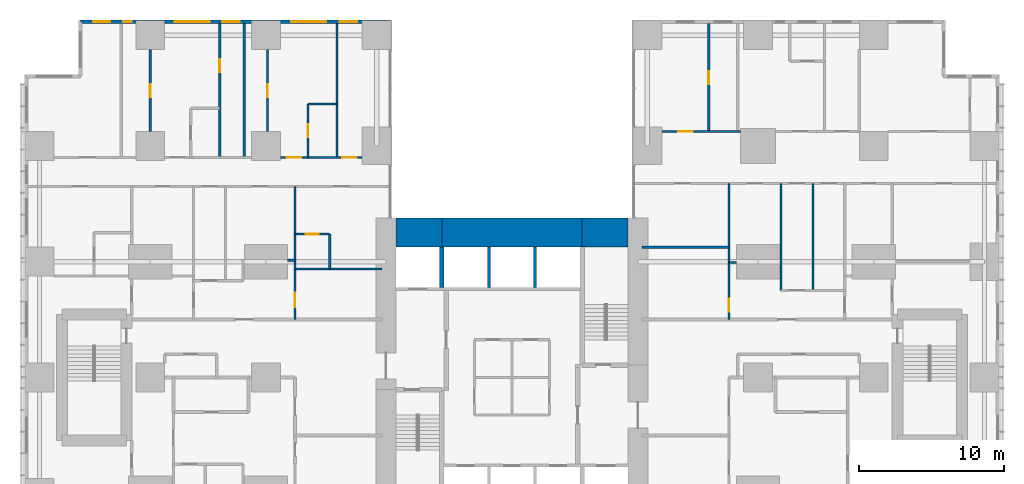
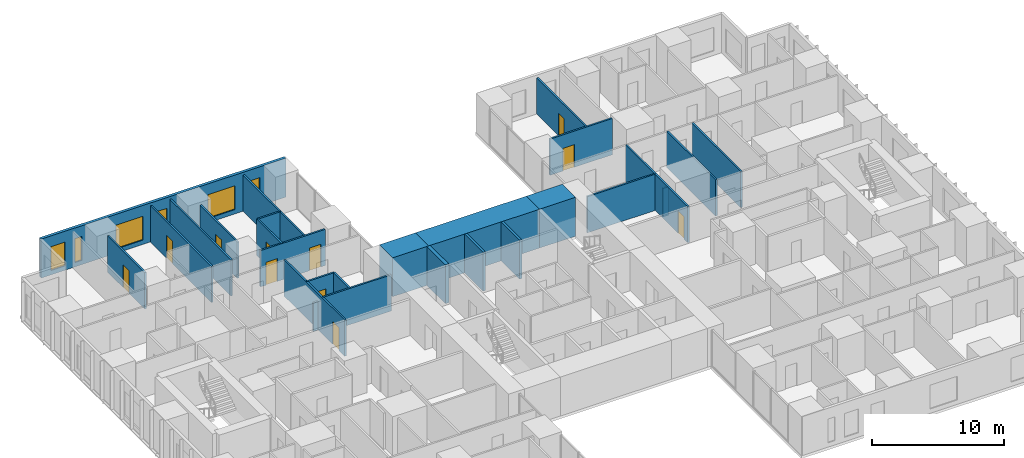
# One storey, part 17 of 20: 27 walls, 11 doors, 6 windows, 17 openings.
"""IFC4 building model written with IfcOpenShell, lengths in metres."""

from ifc_helpers import new_model, si_unit, direction, frame, frame_2d, origin, place, context, subcontext, project, spatial, rectangle, extrude, material, layer, layer_set, type_object, element, fill, save


model = new_model("IFC4")

# Units and contexts
model_context = context("Model", 3, precision=1e-05, world=origin(), true_north=direction((0.0, 1.0)))
body_context = subcontext(model_context, "Body", "Model", "MODEL_VIEW")
ifc_project = project(units=[si_unit("LENGTHUNIT", "METRE"), si_unit("AREAUNIT", "SQUARE_METRE"), si_unit("VOLUMEUNIT", "CUBIC_METRE"), si_unit("PLANEANGLEUNIT", "RADIAN"), si_unit("MASSUNIT", "GRAM", prefix="KILO")], contexts=[model_context])

# Site, building, storey
site_placement = place(None, origin())
site = spatial("IfcSite", under=ifc_project, at=site_placement, CompositionType="ELEMENT")
building_placement = place(site_placement, origin())
building = spatial("IfcBuilding", under=site, at=building_placement, Name="Cleftline Residences", CompositionType="ELEMENT")
storey_placement = place(building_placement, frame((0.0, 0.0, 110.60009765625)))
storey = spatial("IfcBuildingStorey", under=building, at=storey_placement, Name="L28", CompositionType="ELEMENT", Elevation=110.60009765625)

# Walls
ifc_material_1 = material(Name="Concrete B70", Category="concrete")
ifc_layer_1 = layer(ifc_material_1, 2.0)
ifc_layer_set_1 = layer_set([ifc_layer_1], Name="CORE WALL 2000")
wall_type_1 = type_object("IfcWallType", Name="CORE WALL 2000", PredefinedType="SHEAR", material=ifc_layer_set_1)
wall_1_placement = place(storey_placement, frame((25.0, 34.0, 0.0), z_axis=(0.0, 0.0, 1.0), x_axis=(1.0, 0.0, 0.0)))
element("IfcWall", 1, at=wall_1_placement, inside=storey, type_object=wall_type_1, Name="Core wall N1", PredefinedType="SHEAR", context=body_context, shape_type="SweptSolid", body=[
    extrude(rectangle(XDim=3.14990234375, YDim=2.0, at=frame_2d((1.574951171875, 0.0))), origin(), (0.0, 0.0, 1.0), 3.599853515625),
])
wall_2_placement = place(storey_placement, frame((28.14990234375, 34.0, 0.0), z_axis=(0.0, 0.0, 1.0), x_axis=(1.0, 0.0, 0.0)))
element("IfcWall", 2, at=wall_2_placement, inside=storey, type_object=wall_type_1, Name="Core wall N2", PredefinedType="SHEAR", context=body_context, shape_type="SweptSolid", body=[
    extrude(rectangle(XDim=9.7001953125, YDim=2.0, at=frame_2d((4.85009765625, 0.0))), origin(), (0.0, 0.0, 1.0), 3.599853515625),
])
wall_3_placement = place(storey_placement, frame((37.85009765625, 34.0, 0.0), z_axis=(0.0, 0.0, 1.0), x_axis=(1.0, 0.0, 0.0)))
element("IfcWall", 3, at=wall_3_placement, inside=storey, type_object=wall_type_1, Name="Core wall N3", PredefinedType="SHEAR", context=body_context, shape_type="SweptSolid", body=[
    extrude(rectangle(XDim=3.14990234375, YDim=2.0, at=frame_2d((1.574951171875, 0.0))), origin(), (0.0, 0.0, 1.0), 3.599853515625),
])
ifc_material_2 = material(Name="Concrete B70", Category="concrete")
ifc_layer_2 = layer(ifc_material_2, 0.300048828125)
ifc_layer_set_2 = layer_set([ifc_layer_2], Name="CORE WALL 300")
wall_type_2 = type_object("IfcWallType", Name="CORE WALL 300", PredefinedType="SHEAR", material=ifc_layer_set_2)
wall_4_placement = place(storey_placement, frame((28.14990234375, 30.199951171875, 0.0), z_axis=(0.0, 0.0, 1.0), x_axis=(0.0, 1.0, 0.0)))
element("IfcWall", 4, at=wall_4_placement, inside=storey, type_object=wall_type_2, Name="Lift shaft wall", PredefinedType="SHEAR", context=body_context, shape_type="SweptSolid", body=[
    extrude(rectangle(XDim=2.800048828125, YDim=0.300048828125, at=frame_2d((1.39990234375, 0.0))), origin(), (0.0, 0.0, 1.0), 3.599853515625),
])

# Wall, openings, windows
ifc_material_3 = material(Name="Rendered reinforced concrete blockwork", Category="masonry")
ifc_layer_3 = layer(ifc_material_3, 0.25)
ifc_layer_set_3 = layer_set([ifc_layer_3], Name="EXTERNAL WALL 250")
wall_type_3 = type_object("IfcWallType", Name="EXTERNAL WALL 250", PredefinedType="SOLIDWALL", material=ifc_layer_set_3)
wall_5_placement = place(storey_placement, frame((24.574951171875, 48.574951171875, 0.0), z_axis=(0.0, 0.0, 1.0), x_axis=(-1.0, 0.0, 0.0)))
wall_5 = element("IfcWall", 5, at=wall_5_placement, inside=storey, type_object=wall_type_3, Name="External wall", PredefinedType="SOLIDWALL", context=body_context, shape_type="SweptSolid", body=[
    extrude(rectangle(XDim=21.39990234375, YDim=0.25, at=frame_2d((10.699951171875, 0.0))), origin(), (0.0, 0.0, 1.0), 3.599853515625),
])
opening_1_placement = place(wall_5_placement, frame((2.27490234375, 0.0, 0.39990234375)))
opening_1 = element("IfcOpeningElement", 6, at=opening_1_placement, cuts=wall_5, Name="Opening W11", PredefinedType="OPENING", context=body_context, shape_type="SweptSolid", body=[
    extrude(rectangle(XDim=1.199951171875, YDim=2.199951171875, at=frame_2d((0.60009765625, 1.10009765625))), frame((0.0, 0.135009765625, 0.0), z_axis=(0.0, -1.0, 0.0), x_axis=(1.0, 0.0, 0.0)), (0.0, 0.0, 1.0), 0.27001953125),
])
opening_2_placement = place(wall_5_placement, frame((4.425048828125, 0.0, 0.39990234375)))
opening_2 = element("IfcOpeningElement", 7, at=opening_2_placement, cuts=wall_5, Name="Opening W12", PredefinedType="OPENING", context=body_context, shape_type="SweptSolid", body=[
    extrude(rectangle(XDim=2.39990234375, YDim=2.199951171875, at=frame_2d((1.199951171875, 1.10009765625))), frame((0.0, 0.135009765625, 0.0), z_axis=(0.0, -1.0, 0.0), x_axis=(1.0, 0.0, 0.0)), (0.0, 0.0, 1.0), 0.27001953125),
])
opening_3_placement = place(wall_5_placement, frame((10.39990234375, 0.0, 0.39990234375)))
opening_3 = element("IfcOpeningElement", 8, at=opening_3_placement, cuts=wall_5, Name="Opening W11", PredefinedType="OPENING", context=body_context, shape_type="SweptSolid", body=[
    extrude(rectangle(XDim=1.199951171875, YDim=2.199951171875, at=frame_2d((0.60009765625, 1.10009765625))), frame((0.0, 0.135009765625, 0.0), z_axis=(0.0, -1.0, 0.0), x_axis=(1.0, 0.0, 0.0)), (0.0, 0.0, 1.0), 0.27001953125),
])
opening_4_placement = place(wall_5_placement, frame((12.47509765625, 0.0, 0.39990234375)))
opening_4 = element("IfcOpeningElement", 9, at=opening_4_placement, cuts=wall_5, Name="Opening W12", PredefinedType="OPENING", context=body_context, shape_type="SweptSolid", body=[
    extrude(rectangle(XDim=2.39990234375, YDim=2.199951171875, at=frame_2d((1.199951171875, 1.10009765625))), frame((0.0, 0.135009765625, 0.0), z_axis=(0.0, -1.0, 0.0), x_axis=(1.0, 0.0, 0.0)), (0.0, 0.0, 1.0), 0.27001953125),
])
opening_5_placement = place(wall_5_placement, frame((17.85009765625, 0.0, 0.39990234375)))
opening_5 = element("IfcOpeningElement", 10, at=opening_5_placement, cuts=wall_5, Name="Opening W10", PredefinedType="OPENING", context=body_context, shape_type="SweptSolid", body=[
    extrude(rectangle(XDim=0.60009765625, YDim=2.199951171875, at=frame_2d((0.300048828125, 1.10009765625))), frame((0.0, 0.135009765625, 0.0), z_axis=(0.0, -1.0, 0.0), x_axis=(1.0, 0.0, 0.0)), (0.0, 0.0, 1.0), 0.27001953125),
])
opening_6_placement = place(wall_5_placement, frame((19.324951171875, 0.0, 0.39990234375)))
opening_6 = element("IfcOpeningElement", 11, at=opening_6_placement, cuts=wall_5, Name="Opening W11", PredefinedType="OPENING", context=body_context, shape_type="SweptSolid", body=[
    extrude(rectangle(XDim=1.199951171875, YDim=2.199951171875, at=frame_2d((0.60009765625, 1.10009765625))), frame((0.0, 0.135009765625, 0.0), z_axis=(0.0, -1.0, 0.0), x_axis=(1.0, 0.0, 0.0)), (0.0, 0.0, 1.0), 0.27001953125),
])
ifc_material_4 = material(Name="Aluminium frame, clear double glazing", Category="aluminium")
window_type_1 = type_object("IfcWindowType", Name="WINDOW 1200X2200", PartitioningType="DOUBLE_PANEL_VERTICAL", PredefinedType="WINDOW", material=ifc_material_4)
window_1_placement = place(opening_1_placement, origin())
window_1 = element("IfcWindow", 12, at=window_1_placement, inside=storey, type_object=window_type_1, Name="Window", OverallHeight=2.199951171875, OverallWidth=1.199951171875, PartitioningType="SINGLE_PANEL", PredefinedType="WINDOW", context=body_context, shape_type="SweptSolid", body=[
    extrude(rectangle(XDim=1.199951171875, YDim=2.199951171875, at=frame_2d((0.60009765625, 1.10009765625))), frame((0.0, 0.030029296875, 0.0), z_axis=(0.0, -1.0, 0.0), x_axis=(1.0, 0.0, 0.0)), (0.0, 0.0, 1.0), 0.06005859375),
])
fill(opening_1, window_1)
window_2_placement = place(opening_3_placement, origin())
window_2 = element("IfcWindow", 13, at=window_2_placement, inside=storey, type_object=window_type_1, Name="Window", OverallHeight=2.199951171875, OverallWidth=1.199951171875, PartitioningType="SINGLE_PANEL", PredefinedType="WINDOW", context=body_context, shape_type="SweptSolid", body=[
    extrude(rectangle(XDim=1.199951171875, YDim=2.199951171875, at=frame_2d((0.60009765625, 1.10009765625))), frame((0.0, 0.030029296875, 0.0), z_axis=(0.0, -1.0, 0.0), x_axis=(1.0, 0.0, 0.0)), (0.0, 0.0, 1.0), 0.06005859375),
])
fill(opening_3, window_2)
window_3_placement = place(opening_6_placement, origin())
window_3 = element("IfcWindow", 14, at=window_3_placement, inside=storey, type_object=window_type_1, Name="Window", OverallHeight=2.199951171875, OverallWidth=1.199951171875, PartitioningType="SINGLE_PANEL", PredefinedType="WINDOW", context=body_context, shape_type="SweptSolid", body=[
    extrude(rectangle(XDim=1.199951171875, YDim=2.199951171875, at=frame_2d((0.60009765625, 1.10009765625))), frame((0.0, 0.030029296875, 0.0), z_axis=(0.0, -1.0, 0.0), x_axis=(1.0, 0.0, 0.0)), (0.0, 0.0, 1.0), 0.06005859375),
])
fill(opening_6, window_3)
ifc_material_5 = material(Name="Aluminium frame, clear double glazing", Category="aluminium")
window_type_2 = type_object("IfcWindowType", Name="WINDOW 2400X2200", PartitioningType="DOUBLE_PANEL_VERTICAL", PredefinedType="WINDOW", material=ifc_material_5)
window_4_placement = place(opening_2_placement, origin())
window_4 = element("IfcWindow", 15, at=window_4_placement, inside=storey, type_object=window_type_2, Name="Window", OverallHeight=2.199951171875, OverallWidth=2.39990234375, PartitioningType="SINGLE_PANEL", PredefinedType="WINDOW", context=body_context, shape_type="SweptSolid", body=[
    extrude(rectangle(XDim=2.39990234375, YDim=2.199951171875, at=frame_2d((1.199951171875, 1.10009765625))), frame((0.0, 0.030029296875, 0.0), z_axis=(0.0, -1.0, 0.0), x_axis=(1.0, 0.0, 0.0)), (0.0, 0.0, 1.0), 0.06005859375),
])
fill(opening_2, window_4)
window_5_placement = place(opening_4_placement, origin())
window_5 = element("IfcWindow", 16, at=window_5_placement, inside=storey, type_object=window_type_2, Name="Window", OverallHeight=2.199951171875, OverallWidth=2.39990234375, PartitioningType="SINGLE_PANEL", PredefinedType="WINDOW", context=body_context, shape_type="SweptSolid", body=[
    extrude(rectangle(XDim=2.39990234375, YDim=2.199951171875, at=frame_2d((1.199951171875, 1.10009765625))), frame((0.0, 0.030029296875, 0.0), z_axis=(0.0, -1.0, 0.0), x_axis=(1.0, 0.0, 0.0)), (0.0, 0.0, 1.0), 0.06005859375),
])
fill(opening_4, window_5)
ifc_material_6 = material(Name="Aluminium frame, clear double glazing", Category="aluminium")
window_type_3 = type_object("IfcWindowType", Name="WINDOW 600X2200", PartitioningType="DOUBLE_PANEL_VERTICAL", PredefinedType="WINDOW", material=ifc_material_6)
window_6_placement = place(opening_5_placement, origin())
window_6 = element("IfcWindow", 17, at=window_6_placement, inside=storey, type_object=window_type_3, Name="Window", OverallHeight=2.199951171875, OverallWidth=0.60009765625, PartitioningType="SINGLE_PANEL", PredefinedType="WINDOW", context=body_context, shape_type="SweptSolid", body=[
    extrude(rectangle(XDim=0.60009765625, YDim=2.199951171875, at=frame_2d((0.300048828125, 1.10009765625))), frame((0.0, 0.030029296875, 0.0), z_axis=(0.0, -1.0, 0.0), x_axis=(1.0, 0.0, 0.0)), (0.0, 0.0, 1.0), 0.06005859375),
])
fill(opening_5, window_6)

# Walls
ifc_material_7 = material(Name="Gypsum board on steel studs", Category="steel")
ifc_layer_4 = layer(ifc_material_7, 0.14990234375)
ifc_layer_set_4 = layer_set([ifc_layer_4], Name="PARTITION 150")
wall_type_4 = type_object("IfcWallType", Name="PARTITION 150", PredefinedType="PARTITIONING", material=ifc_layer_set_4)
wall_6_placement = place(storey_placement, frame((18.0, 31.5, 0.0), z_axis=(0.0, 0.0, 1.0), x_axis=(1.0, 0.0, 0.0)))
element("IfcWall", 18, at=wall_6_placement, inside=storey, type_object=wall_type_4, Name="Partition", PredefinedType="PARTITIONING", context=body_context, shape_type="SweptSolid", body=[
    extrude(rectangle(XDim=6.0, YDim=0.14990234375, at=frame_2d((3.0, 0.0))), origin(), (0.0, 0.0, 1.0), 3.349853515625),
])
for number, where, z_axis, x_axis, name in (
    (19, (48.0, 31.949951171875, 0.0), (0.0, 0.0, 1.0), (1.0, 0.0, 0.0), "Partition"),
    (20, (17.5, 32.10009765625, 0.0), (0.0, 0.0, 1.0), (1.0, 0.0, 0.0), "Partition"),
):
    element("IfcWall", number, at=place(storey_placement, frame(where, z_axis=z_axis, x_axis=x_axis)), inside=storey, type_object=wall_type_4, Name=name, PredefinedType="PARTITIONING", context=body_context, shape_type="SweptSolid", body=[
        extrude(rectangle(XDim=0.5, YDim=0.14990234375, at=frame_2d((0.25, 0.0))), origin(), (0.0, 0.0, 1.0), 2.6337890625),
    ])
wall_7_placement = place(storey_placement, frame((42.0, 33.0, 0.0), z_axis=(0.0, 0.0, 1.0), x_axis=(1.0, 0.0, 0.0)))
element("IfcWall", 21, at=wall_7_placement, inside=storey, type_object=wall_type_4, Name="Partition", PredefinedType="PARTITIONING", context=body_context, shape_type="SweptSolid", body=[
    extrude(rectangle(XDim=6.0, YDim=0.14990234375, at=frame_2d((3.0, 0.0))), origin(), (0.0, 0.0, 1.0), 3.349853515625),
])

# Wall, opening, door
wall_8_placement = place(storey_placement, frame((18.0, 33.89990234375, 0.0), z_axis=(0.0, 0.0, 1.0), x_axis=(1.0, 0.0, 0.0)))
wall_8 = element("IfcWall", 22, at=wall_8_placement, inside=storey, type_object=wall_type_4, Name="Partition", PredefinedType="PARTITIONING", context=body_context, shape_type="SweptSolid", body=[
    extrude(rectangle(XDim=2.39990234375, YDim=0.14990234375, at=frame_2d((1.199951171875, 0.0))), origin(), (0.0, 0.0, 1.0), 3.349853515625),
])
opening_7_placement = place(wall_8_placement, frame((0.75, 0.0, 0.0)))
opening_7 = element("IfcOpeningElement", 23, at=opening_7_placement, cuts=wall_8, Name="Opening D1", PredefinedType="OPENING", context=body_context, shape_type="SweptSolid", body=[
    extrude(rectangle(XDim=0.89990234375, YDim=2.10009765625, at=frame_2d((0.449951171875, 1.050048828125))), frame((0.0, 0.0849609375, 0.0), z_axis=(0.0, -1.0, 0.0), x_axis=(1.0, 0.0, 0.0)), (0.0, 0.0, 1.0), 0.169921875),
])
ifc_material_8 = material(Name="Timber veneer on solid core", Category="wood")
door_type_1 = type_object("IfcDoorType", Name="DOOR 900X2100", OperationType="SINGLE_SWING_LEFT", PredefinedType="DOOR", material=ifc_material_8)
door_1_placement = place(opening_7_placement, origin())
door_1 = element("IfcDoor", 24, at=door_1_placement, inside=storey, type_object=door_type_1, Name="Door to staff shower room", OperationType="SINGLE_SWING_LEFT", OverallHeight=2.10009765625, OverallWidth=0.89990234375, PredefinedType="DOOR", context=body_context, shape_type="SweptSolid", body=[
    extrude(rectangle(XDim=0.89990234375, YDim=2.10009765625, at=frame_2d((0.449951171875, 1.050048828125))), frame((0.0, 0.02490234375, 0.0), z_axis=(0.0, -1.0, 0.0), x_axis=(1.0, 0.0, 0.0)), (0.0, 0.0, 1.0), 0.050048828125),
])
fill(opening_7, door_1)

# Wall, openings, doors
wall_9_placement = place(storey_placement, frame((17.0, 39.199951171875, 0.0), z_axis=(0.0, 0.0, 1.0), x_axis=(1.0, 0.0, 0.0)))
wall_9 = element("IfcWall", 25, at=wall_9_placement, inside=storey, type_object=wall_type_4, Name="Partition", PredefinedType="PARTITIONING", context=body_context, shape_type="SweptSolid", body=[
    extrude(rectangle(XDim=5.64990234375, YDim=0.14990234375, at=frame_2d((2.824951171875, 0.0))), origin(), (0.0, 0.0, 1.0), 3.349853515625),
])
opening_8_placement = place(wall_9_placement, frame((0.449951171875, 0.0, 0.0)))
opening_8 = element("IfcOpeningElement", 26, at=opening_8_placement, cuts=wall_9, Name="Opening D2", PredefinedType="OPENING", context=body_context, shape_type="SweptSolid", body=[
    extrude(rectangle(XDim=1.0, YDim=2.10009765625, at=frame_2d((0.5, 1.050048828125))), frame((0.0, 0.0849609375, 0.0), z_axis=(0.0, -1.0, 0.0), x_axis=(1.0, 0.0, 0.0)), (0.0, 0.0, 1.0), 0.169921875),
])
opening_9_placement = place(wall_9_placement, frame((4.27490234375, 0.0, 0.0)))
opening_9 = element("IfcOpeningElement", 27, at=opening_9_placement, cuts=wall_9, Name="Opening D2", PredefinedType="OPENING", context=body_context, shape_type="SweptSolid", body=[
    extrude(rectangle(XDim=1.0, YDim=2.10009765625, at=frame_2d((0.5, 1.050048828125))), frame((0.0, 0.0849609375, 0.0), z_axis=(0.0, -1.0, 0.0), x_axis=(1.0, 0.0, 0.0)), (0.0, 0.0, 1.0), 0.169921875),
])
ifc_material_9 = material(Name="Timber veneer on solid core", Category="wood")
door_type_2 = type_object("IfcDoorType", Name="DOOR 1000X2100", OperationType="SINGLE_SWING_LEFT", PredefinedType="DOOR", material=ifc_material_9)
door_2_placement = place(opening_8_placement, origin())
door_2 = element("IfcDoor", 28, at=door_2_placement, inside=storey, type_object=door_type_2, Name="Door to bedroom 3", OperationType="SINGLE_SWING_RIGHT", OverallHeight=2.10009765625, OverallWidth=1.0, PredefinedType="DOOR", context=body_context, shape_type="SweptSolid", body=[
    extrude(rectangle(XDim=1.0, YDim=2.10009765625, at=frame_2d((0.5, 1.050048828125))), frame((0.0, 0.02490234375, 0.0), z_axis=(0.0, -1.0, 0.0), x_axis=(1.0, 0.0, 0.0)), (0.0, 0.0, 1.0), 0.050048828125),
])
fill(opening_8, door_2)
door_3_placement = place(opening_9_placement, origin())
door_3 = element("IfcDoor", 29, at=door_3_placement, inside=storey, type_object=door_type_2, Name="Door to bedroom 3 sitting room", OperationType="SINGLE_SWING_LEFT", OverallHeight=2.10009765625, OverallWidth=1.0, PredefinedType="DOOR", context=body_context, shape_type="SweptSolid", body=[
    extrude(rectangle(XDim=1.0, YDim=2.10009765625, at=frame_2d((0.5, 1.050048828125))), frame((0.0, 0.02490234375, 0.0), z_axis=(0.0, -1.0, 0.0), x_axis=(1.0, 0.0, 0.0)), (0.0, 0.0, 1.0), 0.050048828125),
])
fill(opening_9, door_3)

# Wall, opening, door
wall_10_placement = place(storey_placement, frame((43.35009765625, 41.0, 0.0), z_axis=(0.0, 0.0, 1.0), x_axis=(1.0, 0.0, 0.0)))
wall_10 = element("IfcWall", 30, at=wall_10_placement, inside=storey, type_object=wall_type_4, Name="Partition", PredefinedType="PARTITIONING", context=body_context, shape_type="SweptSolid", body=[
    extrude(rectangle(XDim=5.449951171875, YDim=0.14990234375, at=frame_2d((2.72509765625, 0.0))), origin(), (0.0, 0.0, 1.0), 3.349853515625),
])
opening_10_placement = place(wall_10_placement, frame((1.125, 0.0, 0.0)))
opening_10 = element("IfcOpeningElement", 31, at=opening_10_placement, cuts=wall_10, Name="Opening D2", PredefinedType="OPENING", context=body_context, shape_type="SweptSolid", body=[
    extrude(rectangle(XDim=1.0, YDim=2.10009765625, at=frame_2d((0.5, 1.050048828125))), frame((0.0, 0.0849609375, 0.0), z_axis=(0.0, -1.0, 0.0), x_axis=(1.0, 0.0, 0.0)), (0.0, 0.0, 1.0), 0.169921875),
])
door_4_placement = place(opening_10_placement, origin())
door_4 = element("IfcDoor", 32, at=door_4_placement, inside=storey, type_object=door_type_2, Name="Door to bedroom 3", OperationType="SINGLE_SWING_RIGHT", OverallHeight=2.10009765625, OverallWidth=1.0, PredefinedType="DOOR", context=body_context, shape_type="SweptSolid", body=[
    extrude(rectangle(XDim=1.0, YDim=2.10009765625, at=frame_2d((0.5, 1.050048828125))), frame((0.0, 0.02490234375, 0.0), z_axis=(0.0, -1.0, 0.0), x_axis=(1.0, 0.0, 0.0)), (0.0, 0.0, 1.0), 0.050048828125),
])
fill(opening_10, door_4)

# Wall
wall_11_placement = place(storey_placement, frame((18.89990234375, 42.89990234375, 0.0), z_axis=(0.0, 0.0, 1.0), x_axis=(1.0, 0.0, 0.0)))
element("IfcWall", 33, at=wall_11_placement, inside=storey, type_object=wall_type_4, Name="Partition", PredefinedType="PARTITIONING", context=body_context, shape_type="SweptSolid", body=[
    extrude(rectangle(XDim=2.0, YDim=0.14990234375, at=frame_2d((1.0, 0.0))), origin(), (0.0, 0.0, 1.0), 3.349853515625),
])

# Wall, opening, door
wall_12_placement = place(storey_placement, frame((8.0, 41.0, 0.0), z_axis=(0.0, 0.0, 1.0), x_axis=(0.0, 1.0, 0.0)))
wall_12 = element("IfcWall", 34, at=wall_12_placement, inside=storey, type_object=wall_type_4, Name="Partition", PredefinedType="PARTITIONING", context=body_context, shape_type="SweptSolid", body=[
    extrude(rectangle(XDim=5.64990234375, YDim=0.14990234375, at=frame_2d((2.824951171875, 0.0))), origin(), (0.0, 0.0, 1.0), 3.349853515625),
])
opening_11_placement = place(wall_12_placement, frame((2.375, 0.0, 0.0)))
opening_11 = element("IfcOpeningElement", 35, at=opening_11_placement, cuts=wall_12, Name="Opening D1", PredefinedType="OPENING", context=body_context, shape_type="SweptSolid", body=[
    extrude(rectangle(XDim=0.89990234375, YDim=2.10009765625, at=frame_2d((0.449951171875, 1.050048828125))), frame((0.0, 0.0849609375, 0.0), z_axis=(0.0, -1.0, 0.0), x_axis=(1.0, 0.0, 0.0)), (0.0, 0.0, 1.0), 0.169921875),
])
door_5_placement = place(opening_11_placement, origin())
door_5 = element("IfcDoor", 36, at=door_5_placement, inside=storey, type_object=door_type_1, Name="Door to walk-in wardrobe", OperationType="SINGLE_SWING_LEFT", OverallHeight=2.10009765625, OverallWidth=0.89990234375, PredefinedType="DOOR", context=body_context, shape_type="SweptSolid", body=[
    extrude(rectangle(XDim=0.89990234375, YDim=2.10009765625, at=frame_2d((0.449951171875, 1.050048828125))), frame((0.0, 0.02490234375, 0.0), z_axis=(0.0, -1.0, 0.0), x_axis=(1.0, 0.0, 0.0)), (0.0, 0.0, 1.0), 0.050048828125),
])
fill(opening_11, door_5)

wall_13_placement = place(storey_placement, frame((12.800048828125, 39.199951171875, 0.0), z_axis=(0.0, 0.0, 1.0), x_axis=(0.0, 1.0, 0.0)))
wall_13 = element("IfcWall", 37, at=wall_13_placement, inside=storey, type_object=wall_type_4, Name="Partition", PredefinedType="PARTITIONING", context=body_context, shape_type="SweptSolid", body=[
    extrude(rectangle(XDim=9.25, YDim=0.14990234375, at=frame_2d((4.625, 0.0))), origin(), (0.0, 0.0, 1.0), 3.349853515625),
])
opening_12_placement = place(wall_13_placement, frame((5.875, 0.0, 0.0)))
opening_12 = element("IfcOpeningElement", 38, at=opening_12_placement, cuts=wall_13, Name="Opening D1", PredefinedType="OPENING", context=body_context, shape_type="SweptSolid", body=[
    extrude(rectangle(XDim=0.89990234375, YDim=2.10009765625, at=frame_2d((0.449951171875, 1.050048828125))), frame((0.0, 0.0849609375, 0.0), z_axis=(0.0, -1.0, 0.0), x_axis=(1.0, 0.0, 0.0)), (0.0, 0.0, 1.0), 0.169921875),
])
door_6_placement = place(opening_12_placement, origin())
door_6 = element("IfcDoor", 39, at=door_6_placement, inside=storey, type_object=door_type_1, Name="Door to walk-in wardrobe", OperationType="SINGLE_SWING_LEFT", OverallHeight=2.10009765625, OverallWidth=0.89990234375, PredefinedType="DOOR", context=body_context, shape_type="SweptSolid", body=[
    extrude(rectangle(XDim=0.89990234375, YDim=2.10009765625, at=frame_2d((0.449951171875, 1.050048828125))), frame((0.0, 0.02490234375, 0.0), z_axis=(0.0, -1.0, 0.0), x_axis=(1.0, 0.0, 0.0)), (0.0, 0.0, 1.0), 0.050048828125),
])
fill(opening_12, door_6)

# Wall
wall_14_placement = place(storey_placement, frame((14.5, 39.199951171875, 0.0), z_axis=(0.0, 0.0, 1.0), x_axis=(0.0, 1.0, 0.0)))
element("IfcWall", 40, at=wall_14_placement, inside=storey, type_object=wall_type_4, Name="Partition", PredefinedType="PARTITIONING", context=body_context, shape_type="SweptSolid", body=[
    extrude(rectangle(XDim=9.25, YDim=0.14990234375, at=frame_2d((4.625, 0.0))), origin(), (0.0, 0.0, 1.0), 3.349853515625),
])

# Wall, opening, door
wall_15_placement = place(storey_placement, frame((16.10009765625, 41.0, 0.0), z_axis=(0.0, 0.0, 1.0), x_axis=(0.0, 1.0, 0.0)))
wall_15 = element("IfcWall", 41, at=wall_15_placement, inside=storey, type_object=wall_type_4, Name="Partition", PredefinedType="PARTITIONING", context=body_context, shape_type="SweptSolid", body=[
    extrude(rectangle(XDim=5.64990234375, YDim=0.14990234375, at=frame_2d((2.824951171875, 0.0))), origin(), (0.0, 0.0, 1.0), 3.349853515625),
])
opening_13_placement = place(wall_15_placement, frame((2.375, 0.0, 0.0)))
opening_13 = element("IfcOpeningElement", 42, at=opening_13_placement, cuts=wall_15, Name="Opening D1", PredefinedType="OPENING", context=body_context, shape_type="SweptSolid", body=[
    extrude(rectangle(XDim=0.89990234375, YDim=2.10009765625, at=frame_2d((0.449951171875, 1.050048828125))), frame((0.0, 0.0849609375, 0.0), z_axis=(0.0, -1.0, 0.0), x_axis=(1.0, 0.0, 0.0)), (0.0, 0.0, 1.0), 0.169921875),
])
door_7_placement = place(opening_13_placement, origin())
door_7 = element("IfcDoor", 43, at=door_7_placement, inside=storey, type_object=door_type_1, Name="Door to walk-in wardrobe", OperationType="SINGLE_SWING_LEFT", OverallHeight=2.10009765625, OverallWidth=0.89990234375, PredefinedType="DOOR", context=body_context, shape_type="SweptSolid", body=[
    extrude(rectangle(XDim=0.89990234375, YDim=2.10009765625, at=frame_2d((0.449951171875, 1.050048828125))), frame((0.0, 0.02490234375, 0.0), z_axis=(0.0, -1.0, 0.0), x_axis=(1.0, 0.0, 0.0)), (0.0, 0.0, 1.0), 0.050048828125),
])
fill(opening_13, door_7)

wall_16_placement = place(storey_placement, frame((18.0, 28.0, 0.0), z_axis=(0.0, 0.0, 1.0), x_axis=(0.0, 1.0, 0.0)))
wall_16 = element("IfcWall", 44, at=wall_16_placement, inside=storey, type_object=wall_type_4, Name="Partition", PredefinedType="PARTITIONING", context=body_context, shape_type="SweptSolid", body=[
    extrude(rectangle(XDim=9.199951171875, YDim=0.14990234375, at=frame_2d((4.60009765625, 0.0))), origin(), (0.0, 0.0, 1.0), 3.349853515625),
])
opening_14_placement = place(wall_16_placement, frame((0.83740234375, 0.0, 0.0)))
opening_14 = element("IfcOpeningElement", 45, at=opening_14_placement, cuts=wall_16, Name="Opening D2", PredefinedType="OPENING", context=body_context, shape_type="SweptSolid", body=[
    extrude(rectangle(XDim=1.0, YDim=2.10009765625, at=frame_2d((0.5, 1.050048828125))), frame((0.0, 0.0849609375, 0.0), z_axis=(0.0, -1.0, 0.0), x_axis=(1.0, 0.0, 0.0)), (0.0, 0.0, 1.0), 0.169921875),
])
door_8_placement = place(opening_14_placement, origin())
door_8 = element("IfcDoor", 46, at=door_8_placement, inside=storey, type_object=door_type_2, Name="Door to morning kitchen", OperationType="SINGLE_SWING_RIGHT", OverallHeight=2.10009765625, OverallWidth=1.0, PredefinedType="DOOR", context=body_context, shape_type="SweptSolid", body=[
    extrude(rectangle(XDim=1.0, YDim=2.10009765625, at=frame_2d((0.5, 1.050048828125))), frame((0.0, 0.02490234375, 0.0), z_axis=(0.0, -1.0, 0.0), x_axis=(1.0, 0.0, 0.0)), (0.0, 0.0, 1.0), 0.050048828125),
])
fill(opening_14, door_8)

wall_17_placement = place(storey_placement, frame((18.89990234375, 39.199951171875, 0.0), z_axis=(0.0, 0.0, 1.0), x_axis=(0.0, 1.0, 0.0)))
wall_17 = element("IfcWall", 47, at=wall_17_placement, inside=storey, type_object=wall_type_4, Name="Partition", PredefinedType="PARTITIONING", context=body_context, shape_type="SweptSolid", body=[
    extrude(rectangle(XDim=3.699951171875, YDim=0.14990234375, at=frame_2d((1.85009765625, 0.0))), origin(), (0.0, 0.0, 1.0), 3.349853515625),
])
opening_15_placement = place(wall_17_placement, frame((1.39990234375, 0.0, 0.0)))
opening_15 = element("IfcOpeningElement", 48, at=opening_15_placement, cuts=wall_17, Name="Opening D1", PredefinedType="OPENING", context=body_context, shape_type="SweptSolid", body=[
    extrude(rectangle(XDim=0.89990234375, YDim=2.10009765625, at=frame_2d((0.449951171875, 1.050048828125))), frame((0.0, 0.0849609375, 0.0), z_axis=(0.0, -1.0, 0.0), x_axis=(1.0, 0.0, 0.0)), (0.0, 0.0, 1.0), 0.169921875),
])
door_9_placement = place(opening_15_placement, origin())
door_9 = element("IfcDoor", 49, at=door_9_placement, inside=storey, type_object=door_type_1, Name="Door to en-suite bathroom 3", OperationType="SINGLE_SWING_LEFT", OverallHeight=2.10009765625, OverallWidth=0.89990234375, PredefinedType="DOOR", context=body_context, shape_type="SweptSolid", body=[
    extrude(rectangle(XDim=0.89990234375, YDim=2.10009765625, at=frame_2d((0.449951171875, 1.050048828125))), frame((0.0, 0.02490234375, 0.0), z_axis=(0.0, -1.0, 0.0), x_axis=(1.0, 0.0, 0.0)), (0.0, 0.0, 1.0), 0.050048828125),
])
fill(opening_15, door_9)

# Walls
wall_18_placement = place(storey_placement, frame((20.39990234375, 31.5, 0.0), z_axis=(0.0, 0.0, 1.0), x_axis=(0.0, 1.0, 0.0)))
element("IfcWall", 50, at=wall_18_placement, inside=storey, type_object=wall_type_4, Name="Partition", PredefinedType="PARTITIONING", context=body_context, shape_type="SweptSolid", body=[
    extrude(rectangle(XDim=2.39990234375, YDim=0.14990234375, at=frame_2d((1.199951171875, 0.0))), origin(), (0.0, 0.0, 1.0), 3.349853515625),
])
wall_19_placement = place(storey_placement, frame((20.89990234375, 39.199951171875, 0.0), z_axis=(0.0, 0.0, 1.0), x_axis=(0.0, 1.0, 0.0)))
element("IfcWall", 51, at=wall_19_placement, inside=storey, type_object=wall_type_4, Name="Partition", PredefinedType="PARTITIONING", context=body_context, shape_type="SweptSolid", body=[
    extrude(rectangle(XDim=9.25, YDim=0.14990234375, at=frame_2d((4.625, 0.0))), origin(), (0.0, 0.0, 1.0), 3.349853515625),
])

# Wall, opening, door
wall_20_placement = place(storey_placement, frame((46.60009765625, 41.0, 0.0), z_axis=(0.0, 0.0, 1.0), x_axis=(0.0, 1.0, 0.0)))
wall_20 = element("IfcWall", 52, at=wall_20_placement, inside=storey, type_object=wall_type_4, Name="Partition", PredefinedType="PARTITIONING", context=body_context, shape_type="SweptSolid", body=[
    extrude(rectangle(XDim=7.449951171875, YDim=0.14990234375, at=frame_2d((3.72509765625, 0.0))), origin(), (0.0, 0.0, 1.0), 3.349853515625),
])
opening_16_placement = place(wall_20_placement, frame((3.27490234375, 0.0, 0.0)))
opening_16 = element("IfcOpeningElement", 53, at=opening_16_placement, cuts=wall_20, Name="Opening D1", PredefinedType="OPENING", context=body_context, shape_type="SweptSolid", body=[
    extrude(rectangle(XDim=0.89990234375, YDim=2.10009765625, at=frame_2d((0.449951171875, 1.050048828125))), frame((0.0, 0.0849609375, 0.0), z_axis=(0.0, -1.0, 0.0), x_axis=(1.0, 0.0, 0.0)), (0.0, 0.0, 1.0), 0.169921875),
])
door_10_placement = place(opening_16_placement, origin())
door_10 = element("IfcDoor", 54, at=door_10_placement, inside=storey, type_object=door_type_1, Name="Door to en-suite bathroom 3", OperationType="SINGLE_SWING_LEFT", OverallHeight=2.10009765625, OverallWidth=0.89990234375, PredefinedType="DOOR", context=body_context, shape_type="SweptSolid", body=[
    extrude(rectangle(XDim=0.89990234375, YDim=2.10009765625, at=frame_2d((0.449951171875, 1.050048828125))), frame((0.0, 0.02490234375, 0.0), z_axis=(0.0, -1.0, 0.0), x_axis=(1.0, 0.0, 0.0)), (0.0, 0.0, 1.0), 0.050048828125),
])
fill(opening_16, door_10)

wall_21_placement = place(storey_placement, frame((48.0, 28.0, 0.0), z_axis=(0.0, 0.0, 1.0), x_axis=(0.0, 1.0, 0.0)))
wall_21 = element("IfcWall", 55, at=wall_21_placement, inside=storey, type_object=wall_type_4, Name="Partition", PredefinedType="PARTITIONING", context=body_context, shape_type="SweptSolid", body=[
    extrude(rectangle(XDim=9.39990234375, YDim=0.14990234375, at=frame_2d((4.699951171875, 0.0))), origin(), (0.0, 0.0, 1.0), 3.349853515625),
])
opening_17_placement = place(wall_21_placement, frame((0.550048828125, 0.0, 0.0)))
opening_17 = element("IfcOpeningElement", 56, at=opening_17_placement, cuts=wall_21, Name="Opening D1", PredefinedType="OPENING", context=body_context, shape_type="SweptSolid", body=[
    extrude(rectangle(XDim=0.89990234375, YDim=2.10009765625, at=frame_2d((0.449951171875, 1.050048828125))), frame((0.0, 0.0849609375, 0.0), z_axis=(0.0, -1.0, 0.0), x_axis=(1.0, 0.0, 0.0)), (0.0, 0.0, 1.0), 0.169921875),
])
door_11_placement = place(opening_17_placement, origin())
door_11 = element("IfcDoor", 57, at=door_11_placement, inside=storey, type_object=door_type_1, Name="Door to laundry", OperationType="SINGLE_SWING_RIGHT", OverallHeight=2.10009765625, OverallWidth=0.89990234375, PredefinedType="DOOR", context=body_context, shape_type="SweptSolid", body=[
    extrude(rectangle(XDim=0.89990234375, YDim=2.10009765625, at=frame_2d((0.449951171875, 1.050048828125))), frame((0.0, 0.02490234375, 0.0), z_axis=(0.0, -1.0, 0.0), x_axis=(1.0, 0.0, 0.0)), (0.0, 0.0, 1.0), 0.050048828125),
])
fill(opening_17, door_11)

# Walls
for number, where, z_axis, x_axis, name in (
    (58, (51.60009765625, 30.0, 0.0), (0.0, 0.0, 1.0), (0.0, 1.0, 0.0), "Partition"),
    (59, (53.800048828125, 30.0, 0.0), (0.0, 0.0, 1.0), (0.0, 1.0, 0.0), "Partition"),
):
    element("IfcWall", number, at=place(storey_placement, frame(where, z_axis=z_axis, x_axis=x_axis)), inside=storey, type_object=wall_type_4, Name=name, PredefinedType="PARTITIONING", context=body_context, shape_type="SweptSolid", body=[
        extrude(rectangle(XDim=7.39990234375, YDim=0.14990234375, at=frame_2d((3.699951171875, 0.0))), origin(), (0.0, 0.0, 1.0), 3.349853515625),
    ])
ifc_material_10 = material(Name="Concrete blockwork, fire rated", Category="masonry")
ifc_layer_5 = layer(ifc_material_10, 0.199951171875)
ifc_layer_set_5 = layer_set([ifc_layer_5], Name="SHAFT WALL 200")
wall_type_5 = type_object("IfcWallType", Name="SHAFT WALL 200", PredefinedType="PARTITIONING", material=ifc_layer_set_5)
for number, where, z_axis, x_axis, name in (
    (60, (31.39990234375, 30.199951171875, 0.0), (0.0, 0.0, 1.0), (0.0, 1.0, 0.0), "Lift shaft wall"),
    (61, (34.60009765625, 30.199951171875, 0.0), (0.0, 0.0, 1.0), (0.0, 1.0, 0.0), "Lift shaft wall"),
):
    element("IfcWall", number, at=place(storey_placement, frame(where, z_axis=z_axis, x_axis=x_axis)), inside=storey, type_object=wall_type_5, Name=name, PredefinedType="PARTITIONING", context=body_context, shape_type="SweptSolid", body=[
        extrude(rectangle(XDim=2.800048828125, YDim=0.199951171875, at=frame_2d((1.39990234375, 0.0))), origin(), (0.0, 0.0, 1.0), 3.599853515625),
    ])

save(model, "model.ifc")
